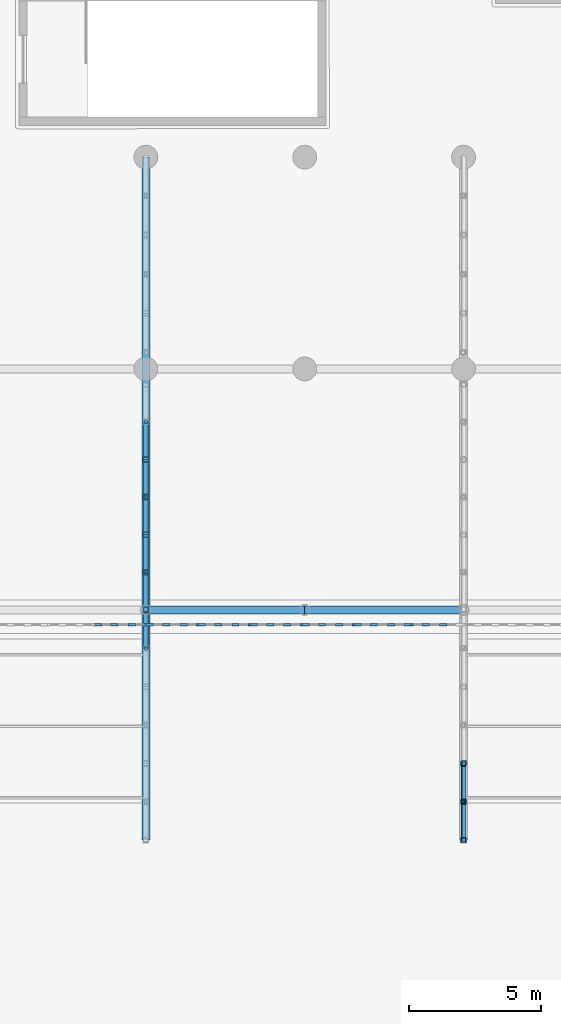
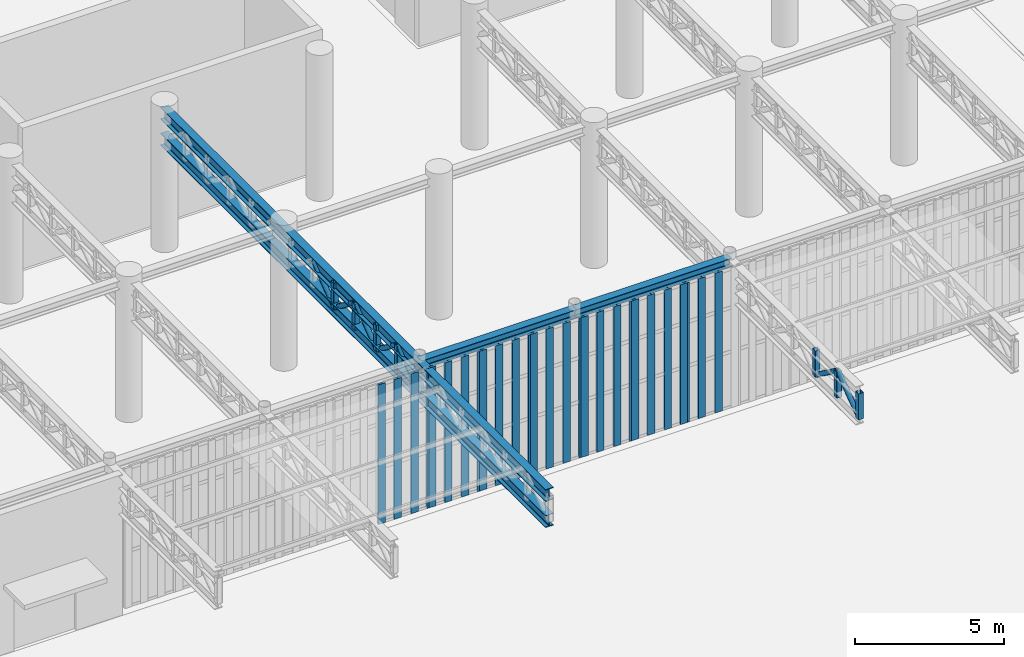
# One storey, part 23 of 118: 45 members, 2 beams, 7 elements without a shape of their own.
"""IFC4 building model written with IfcOpenShell, lengths in metres."""

import ifcopenshell
import ifcopenshell.guid

model = None  # the IFC model being written
_history = None  # IfcOwnerHistory: only IFC2X3 demands one
_inside = {}  # id of a spatial element -> (the spatial element, [elements in it])
_under = {}  # id of a project, library or spatial element -> (it, [spatial elements below it])
_declared = {}  # id of a project -> (the project, [libraries it declares])
_typed = {}  # id of a type object -> (the type object, [elements of that type])
_made_of = {}  # id of a material, layer set ... -> (it, [elements and type objects made of it])


def new_model(schema):
    """Start an empty IFC model of exactly this schema.

    Asked for "IFC4X3", IfcOpenShell would pick the latest addendum, in which some entities
    have other attributes; the version numbers below select the first issue.
    IFC2X3 requires an IfcOwnerHistory on every rooted entity: one is made here for all.
    """
    global model, _history
    if schema == "IFC4X3":
        model = ifcopenshell.file(schema_version=(4, 3, 0, 0))
    else:
        model = ifcopenshell.file(schema=schema)
    _inside.clear()
    _under.clear()
    _declared.clear()
    _typed.clear()
    _made_of.clear()
    _history = None
    if model.schema == "IFC2X3":
        org = make("IfcOrganization", Name="unknown")
        user = make(
            "IfcPersonAndOrganization",
            ThePerson=make("IfcPerson", FamilyName="unknown"),
            TheOrganization=org,
        )
        app = make(
            "IfcApplication",
            ApplicationDeveloper=org,
            Version="unknown",
            ApplicationFullName="unknown",
            ApplicationIdentifier="unknown",
        )
        _history = make(
            "IfcOwnerHistory",
            OwningUser=user,
            OwningApplication=app,
            ChangeAction="ADDED",
            CreationDate=0,
        )
    return model


def make(cls, **values):
    """One entity of the class cls with the attributes given. An attribute that is None is left unset."""
    return model.create_entity(
        cls, **{name: value for name, value in values.items() if value is not None}
    )


def rooted(cls, **values):
    """An entity with a GlobalId (a new one), such as an element, a storey or a relation."""
    return make(cls, GlobalId=ifcopenshell.guid.new(), OwnerHistory=_history, **values)


def si_unit(unit_type, name, prefix=None):
    """IfcSIUnit, for example si_unit("LENGTHUNIT", "METRE", prefix="MILLI")."""
    return make("IfcSIUnit", UnitType=unit_type, Prefix=prefix, Name=name)


def assignment(units):
    """IfcUnitAssignment: the units of a project."""
    return None if units is None else make("IfcUnitAssignment", Units=units)


def point(xyz):
    """IfcCartesianPoint."""
    return None if xyz is None else make("IfcCartesianPoint", Coordinates=xyz)


def direction(xyz):
    """IfcDirection."""
    return None if xyz is None else make("IfcDirection", DirectionRatios=xyz)


def frame(location, z_axis=None, x_axis=None):
    """IfcAxis2Placement3D, a coordinate frame: its origin and axes. An axis left out is left unset."""
    return make(
        "IfcAxis2Placement3D",
        Location=point(location),
        Axis=direction(z_axis),
        RefDirection=direction(x_axis),
    )


def frame_2d(location, x_axis=None):
    """IfcAxis2Placement2D, a coordinate frame in the plane: its origin and x axis."""
    return make(
        "IfcAxis2Placement2D", Location=point(location), RefDirection=direction(x_axis)
    )


def origin():
    """The frame at (0, 0, 0) with its axes left unset."""
    return frame((0.0, 0.0, 0.0))


def origin_2d():
    """The frame at (0, 0) in the plane with its x axis left unset."""
    return frame_2d((0.0, 0.0))


def place(relative_to, where):
    """IfcLocalPlacement: puts the frame where relative to a parent placement (None: the world)."""
    return make(
        "IfcLocalPlacement", PlacementRelTo=relative_to, RelativePlacement=where
    )


def context(
    kind, dimensions, precision=None, world=None, true_north=None, identifier=None
):
    """IfcGeometricRepresentationContext, for example the 3D "Model" context."""
    return make(
        "IfcGeometricRepresentationContext",
        ContextIdentifier=identifier,
        ContextType=kind,
        CoordinateSpaceDimension=dimensions,
        Precision=precision,
        WorldCoordinateSystem=world,
        TrueNorth=true_north,
    )


def subcontext(parent, identifier, kind, view, scale=None):
    """IfcGeometricRepresentationSubContext, for example "Body" below "Model"."""
    return make(
        "IfcGeometricRepresentationSubContext",
        ContextIdentifier=identifier,
        ContextType=kind,
        ParentContext=parent,
        TargetScale=scale,
        TargetView=view,
    )


def project(units=None, contexts=None):
    """IfcProject with its units and contexts."""
    return rooted(
        "IfcProject",
        Name="project",
        RepresentationContexts=contexts,
        UnitsInContext=assignment(units),
    )


def spatial(cls, under=None, at=None, **own):
    """A site, building, storey or space (cls), placed at a placement, below another one or the project."""
    s = rooted(cls, ObjectPlacement=at, **own)
    if under is not None:
        _under.setdefault(under.id(), (under, []))[1].append(s)
    return s


def profile(cls, at=None, kind="AREA", **sizes):
    """A parametric profile (cls). Its sizes go by their IFC names, for example OverallWidth=200.0."""
    return make(cls, ProfileType=kind, Position=at, **sizes)


def rectangle(**sizes):
    """IfcRectangleProfileDef."""
    return profile("IfcRectangleProfileDef", **sizes)


def hollow_rectangle(**sizes):
    """IfcRectangleHollowProfileDef."""
    return profile("IfcRectangleHollowProfileDef", **sizes)


def hollow_circle(**sizes):
    """IfcCircleHollowProfileDef."""
    return profile("IfcCircleHollowProfileDef", **sizes)


def i_section(**sizes):
    """IfcIShapeProfileDef."""
    return profile("IfcIShapeProfileDef", **sizes)


def extrude(swept, where, along, depth):
    """IfcExtrudedAreaSolid: the profile swept, set in the frame where, extruded along a direction by depth."""
    return make(
        "IfcExtrudedAreaSolid",
        SweptArea=swept,
        Position=where,
        ExtrudedDirection=direction(along),
        Depth=depth,
    )


def shape(context_of_items, identifier, shape_type, items):
    """IfcShapeRepresentation: the items that make up one representation, for example the "Body"."""
    return make(
        "IfcShapeRepresentation",
        ContextOfItems=context_of_items,
        RepresentationIdentifier=identifier,
        RepresentationType=shape_type,
        Items=items,
    )


def material(Name=None, Category=None):
    """IfcMaterial."""
    return make("IfcMaterial", Name=Name, Category=Category)


def material_profile(
    of_material, cross_section, Name=None, Category=None, Priority=None
):
    """IfcMaterialProfile: a cross section and its material."""
    return make(
        "IfcMaterialProfile",
        Name=Name,
        Material=of_material,
        Profile=cross_section,
        Priority=Priority,
        Category=Category,
    )


def profile_set(profiles, Name=None, composite=None):
    """IfcMaterialProfileSet."""
    return make(
        "IfcMaterialProfileSet",
        Name=Name,
        MaterialProfiles=profiles,
        CompositeProfile=composite,
    )


def made_of(thing, what):
    """Note that an element or type object is made of a material, layer set ...; save() writes the relation."""
    if what is not None:
        _made_of.setdefault(what.id(), (what, []))[1].append(thing)
    return thing


def type_object(cls, material=None, **own):
    """A type object (cls), such as IfcWallType, which elements share."""
    return made_of(rooted(cls, **own), material)


def element(
    cls,
    number,
    at=None,
    inside=None,
    cuts=None,
    type_object=None,
    material=None,
    context=None,
    identifier="Body",
    shape_type=None,
    held_by="IfcProductDefinitionShape",
    body=None,
    shapes=None,
    **own,
):
    """One element of the class cls, such as IfcWall. Its Tag is "e" and its number.

    at: its placement. inside: the storey or other place that contains it. cuts: it is an
    opening in that element (IfcRelVoidsElement). A single representation is given by context,
    identifier, shape_type and body (its items); several are given by shapes. held_by: the class
    of the entity that holds the representations. save() writes the other relations.
    """
    e = rooted(cls, Tag="e%d" % number, ObjectPlacement=at, **own)
    if body is not None:
        shapes = [shape(context, identifier, shape_type, body)]
    if shapes is not None:
        e.Representation = make(held_by, Representations=shapes)
    if inside is not None:
        _inside.setdefault(inside.id(), (inside, []))[1].append(e)
    if cuts is not None:
        rooted(
            "IfcRelVoidsElement", RelatingBuildingElement=cuts, RelatedOpeningElement=e
        )
    if type_object is not None:
        _typed.setdefault(type_object.id(), (type_object, []))[1].append(e)
    return made_of(e, material)


def aggregate(whole, parts):
    """IfcRelAggregates: a whole, such as a stair, and the parts it consists of."""
    return rooted("IfcRelAggregates", RelatingObject=whole, RelatedObjects=parts)


def save(model, path):
    """Write the relations noted so far, then the file.

    IfcRelAggregates (storeys below a building ...), IfcRelContainedInSpatialStructure (elements
    in a storey), IfcRelDefinesByType, IfcRelAssociatesMaterial and IfcRelDeclares: one each for
    every whole, place, type object, material and project.
    """
    for whole, parts in _under.values():
        aggregate(whole, parts)
    for where, things in _inside.values():
        rooted(
            "IfcRelContainedInSpatialStructure",
            RelatedElements=things,
            RelatingStructure=where,
        )
    for kind, things in _typed.values():
        rooted("IfcRelDefinesByType", RelatedObjects=things, RelatingType=kind)
    for what, things in _made_of.values():
        rooted("IfcRelAssociatesMaterial", RelatedObjects=things, RelatingMaterial=what)
    for by, libraries in _declared.values():
        rooted("IfcRelDeclares", RelatingContext=by, RelatedDefinitions=libraries)
    model.write(path)


model = new_model("IFC4")

# Units and contexts
model_context = context("Model", 3, precision=1e-05, world=origin(), true_north=direction((0.0, 1.0)))
body_context = subcontext(model_context, "Body", "Model", "MODEL_VIEW")
ifc_project = project(units=[si_unit("LENGTHUNIT", "METRE"), si_unit("AREAUNIT", "SQUARE_METRE"), si_unit("VOLUMEUNIT", "CUBIC_METRE"), si_unit("PLANEANGLEUNIT", "RADIAN"), si_unit("MASSUNIT", "GRAM", prefix="KILO")], contexts=[model_context])

# Site, building, storey
site_placement = place(None, origin())
site = spatial("IfcSite", under=ifc_project, at=site_placement, CompositionType="ELEMENT")
building_placement = place(site_placement, origin())
building = spatial("IfcBuilding", under=site, at=building_placement, Name="Kolvaren Corner Interchange", CompositionType="ELEMENT")
storey_placement = place(building_placement, origin())
storey = spatial("IfcBuildingStorey", under=building, at=storey_placement, Name="L01", CompositionType="ELEMENT", Elevation=0.0)

# Beams
ifc_material_1 = material(Name="Steel S355", Category="steel")
ifc_material_profile_1 = material_profile(ifc_material_1, i_section(OverallWidth=0.300048828125, OverallDepth=0.35009765625, WebThickness=0.010009765625, FlangeThickness=0.017578125, FilletRadius=0.027099609375, at=origin_2d()), Name="HEA 360")
ifc_profile_set_1 = profile_set([ifc_material_profile_1], Name="Steel S355")
beam_type = type_object("IfcBeamType", Name="BM-HEA360", PredefinedType="BEAM", material=ifc_profile_set_1)
for number, where, z_axis, x_axis, name in (
    (1, (84.0, 24.89990234375, 5.574951171875), (1.0, 0.0, 0.0), (0.0, 1.0, 0.0), "Storey L01 Grid X Primary Girder 0217"),
    (2, (90.0, 24.89990234375, 5.574951171875), (1.0, 0.0, 0.0), (0.0, 1.0, 0.0), "Storey L01 Grid X Primary Girder 0218"),
):
    element("IfcBeam", number, at=place(storey_placement, frame(where, z_axis=z_axis, x_axis=x_axis)), inside=storey, type_object=beam_type, Name=name, PredefinedType="BEAM", context=body_context, shape_type="SweptSolid", body=[
        extrude(i_section(OverallWidth=0.300048828125, OverallDepth=0.35009765625, WebThickness=0.010009765625, FlangeThickness=0.017578125, FilletRadius=0.027099609375, at=origin_2d()), origin(), (0.0, 0.0, 1.0), 6.0),
    ])

# Members
ifc_material_2 = material(Name="Steel S355", Category="steel")
ifc_material_profile_2 = material_profile(ifc_material_2, hollow_circle(Radius=0.096923828125, WallThickness=0.010009765625, at=origin_2d()), Name="CHS 193.7x10.0")
ifc_profile_set_2 = profile_set([ifc_material_profile_2], Name="Steel S355")
member_type_1 = type_object("IfcMemberType", Name="MEM-BR-CHS194", PredefinedType="BRACE", material=ifc_profile_set_2)
member_1_placement = place(storey_placement, frame((84.0, 23.449951171875, 5.469970703125), z_axis=(0.0, 0.807264090797, -0.590190382597), x_axis=(-1.0, 0.0, 0.0)))
element("IfcMember", 3, at=member_1_placement, inside=storey, type_object=member_type_1, Name="South Portal Cantilever Roof Truss L02 Line 3 Diagonal 06", PredefinedType="BRACE", context=body_context, shape_type="SweptSolid", body=[
    extrude(hollow_circle(Radius=0.096923828125, WallThickness=0.010009765625, at=origin_2d()), origin(), (0.0, 0.0, 1.0), 1.796142578125),
])
member_2_placement = place(storey_placement, frame((84.0, 24.89990234375, 4.409912109375), z_axis=(0.0, 0.801370032118, 0.598168932346), x_axis=(-1.0, 0.0, 0.0)))
element("IfcMember", 4, at=member_2_placement, inside=storey, type_object=member_type_1, Name="South Portal Cantilever Roof Truss L02 Line 3 Diagonal 07", PredefinedType="BRACE", context=body_context, shape_type="SweptSolid", body=[
    extrude(hollow_circle(Radius=0.096923828125, WallThickness=0.010009765625, at=origin_2d()), origin(), (0.0, 0.0, 1.0), 1.772216796875),
])
for number, where, z_axis, x_axis, name in (
    (5, (84.0, 26.320068359375, 5.469970703125), (0.0, 0.801320731352, -0.59823497516), (-1.0, 0.0, 0.0), "South Portal Cantilever Roof Truss L02 Line 3 Diagonal 08"),
    (6, (84.0, 27.739990234375, 4.409912109375), (0.0, 0.801320731352, 0.59823497516), (-1.0, 0.0, 0.0), "South Portal Cantilever Roof Truss L02 Line 3 Diagonal 09"),
):
    element("IfcMember", number, at=place(storey_placement, frame(where, z_axis=z_axis, x_axis=x_axis)), inside=storey, type_object=member_type_1, Name=name, PredefinedType="BRACE", context=body_context, shape_type="SweptSolid", body=[
        extrude(hollow_circle(Radius=0.096923828125, WallThickness=0.010009765625, at=origin_2d()), origin(), (0.0, 0.0, 1.0), 1.77197265625),
    ])
member_3_placement = place(storey_placement, frame((84.0, 29.159912109375, 5.469970703125), z_axis=(0.0, 0.801370032118, -0.598168932346), x_axis=(-1.0, 0.0, 0.0)))
element("IfcMember", 7, at=member_3_placement, inside=storey, type_object=member_type_1, Name="South Portal Cantilever Roof Truss L02 Line 3 Diagonal 10", PredefinedType="BRACE", context=body_context, shape_type="SweptSolid", body=[
    extrude(hollow_circle(Radius=0.096923828125, WallThickness=0.010009765625, at=origin_2d()), origin(), (0.0, 0.0, 1.0), 1.772216796875),
])
member_4_placement = place(storey_placement, frame((84.0, 30.580078125, 4.409912109375), z_axis=(0.0, 0.801320731352, 0.59823497516), x_axis=(-1.0, 0.0, 0.0)))
element("IfcMember", 8, at=member_4_placement, inside=storey, type_object=member_type_1, Name="South Portal Cantilever Roof Truss L02 Line 3 Diagonal 11", PredefinedType="BRACE", context=body_context, shape_type="SweptSolid", body=[
    extrude(hollow_circle(Radius=0.096923828125, WallThickness=0.010009765625, at=origin_2d()), origin(), (0.0, 0.0, 1.0), 1.77197265625),
])
member_5_placement = place(storey_placement, frame((96.0, 16.199951171875, 4.409912109375), z_axis=(0.0, 0.807264090797, 0.590190382597), x_axis=(-1.0, 0.0, 0.0)))
element("IfcMember", 9, at=member_5_placement, inside=storey, type_object=member_type_1, Name="South Portal Cantilever Roof Truss L02 Line 5 Diagonal 01", PredefinedType="BRACE", context=body_context, shape_type="SweptSolid", body=[
    extrude(hollow_circle(Radius=0.096923828125, WallThickness=0.010009765625, at=origin_2d()), origin(), (0.0, 0.0, 1.0), 1.796142578125),
])
member_6_placement = place(storey_placement, frame((96.0, 17.64990234375, 5.469970703125), z_axis=(0.0, 0.807311429362, -0.590125627321), x_axis=(-1.0, 0.0, 0.0)))
element("IfcMember", 10, at=member_6_placement, inside=storey, type_object=member_type_1, Name="South Portal Cantilever Roof Truss L02 Line 5 Diagonal 02", PredefinedType="BRACE", context=body_context, shape_type="SweptSolid", body=[
    extrude(hollow_circle(Radius=0.096923828125, WallThickness=0.010009765625, at=origin_2d()), origin(), (0.0, 0.0, 1.0), 1.79638671875),
])
ifc_material_3 = material(Name="Steel S355", Category="steel")
ifc_material_profile_3 = material_profile(ifc_material_3, i_section(OverallWidth=0.300048828125, OverallDepth=0.5, WebThickness=0.014404296875, FlangeThickness=0.028076171875, FilletRadius=0.027099609375, at=origin_2d()), Name="HEB 500")
ifc_profile_set_3 = profile_set([ifc_material_profile_3], Name="Steel S355")
member_type_2 = type_object("IfcMemberType", Name="MEM-CH-HEB500", PredefinedType="CHORD", material=ifc_profile_set_3)
for number, where, z_axis, x_axis, name in (
    (11, (84.0, 16.199951171875, 5.469970703125), (0.0, 1.0, 0.0), (-1.0, 0.0, 0.0), "South Portal Cantilever Roof Truss L02 Line 3 Top Chord"),
    (12, (84.0, 16.199951171875, 4.409912109375), (0.0, 1.0, 0.0), (-1.0, 0.0, 0.0), "South Portal Cantilever Roof Truss L02 Line 3 Bottom Chord"),
):
    element("IfcMember", number, at=place(storey_placement, frame(where, z_axis=z_axis, x_axis=x_axis)), inside=storey, type_object=member_type_2, Name=name, PredefinedType="CHORD", context=body_context, shape_type="SweptSolid", body=[
        extrude(i_section(OverallWidth=0.300048828125, OverallDepth=0.5, WebThickness=0.014404296875, FlangeThickness=0.028076171875, FilletRadius=0.027099609375, at=origin_2d()), origin(), (0.0, 0.0, 1.0), 25.800048828125),
    ])
ifc_material_4 = material(Name="Steel S355", Category="steel")
ifc_material_profile_4 = material_profile(ifc_material_4, hollow_rectangle(XDim=0.199951171875, YDim=0.199951171875, WallThickness=0.010009765625, InnerFilletRadius=0.010009765625, OuterFilletRadius=0.02001953125, at=origin_2d()), Name="SHS 200x200x10.0")
ifc_profile_set_4 = profile_set([ifc_material_profile_4], Name="Steel S355")
member_type_3 = type_object("IfcMemberType", Name="MEM-PT-SHS200", PredefinedType="POST", material=ifc_profile_set_4)
for number, where, z_axis, x_axis, name in (
    (13, (84.0, 24.89990234375, 4.409912109375), (0.0, 0.0, 1.0), (1.0, 0.0, 0.0), "South Portal Cantilever Roof Truss L02 Line 3 Web Post 07"),
    (14, (84.0, 26.320068359375, 4.409912109375), (0.0, 0.0, 1.0), (1.0, 0.0, 0.0), "South Portal Cantilever Roof Truss L02 Line 3 Web Post 08"),
    (15, (84.0, 27.739990234375, 4.409912109375), (0.0, 0.0, 1.0), (1.0, 0.0, 0.0), "South Portal Cantilever Roof Truss L02 Line 3 Web Post 09"),
    (16, (84.0, 29.159912109375, 4.409912109375), (0.0, 0.0, 1.0), (1.0, 0.0, 0.0), "South Portal Cantilever Roof Truss L02 Line 3 Web Post 10"),
    (17, (84.0, 30.580078125, 4.409912109375), (0.0, 0.0, 1.0), (1.0, 0.0, 0.0), "South Portal Cantilever Roof Truss L02 Line 3 Web Post 11"),
    (18, (96.0, 16.199951171875, 4.409912109375), (0.0, 0.0, 1.0), (1.0, 0.0, 0.0), "South Portal Cantilever Roof Truss L02 Line 5 Web Post 01"),
    (19, (96.0, 17.64990234375, 4.409912109375), (0.0, 0.0, 1.0), (1.0, 0.0, 0.0), "South Portal Cantilever Roof Truss L02 Line 5 Web Post 02"),
    (20, (96.0, 19.10009765625, 4.409912109375), (0.0, 0.0, 1.0), (1.0, 0.0, 0.0), "South Portal Cantilever Roof Truss L02 Line 5 Web Post 03"),
):
    element("IfcMember", number, at=place(storey_placement, frame(where, z_axis=z_axis, x_axis=x_axis)), inside=storey, type_object=member_type_3, Name=name, PredefinedType="POST", context=body_context, shape_type="SweptSolid", body=[
        extrude(hollow_rectangle(XDim=0.199951171875, YDim=0.199951171875, WallThickness=0.010009765625, InnerFilletRadius=0.010009765625, OuterFilletRadius=0.02001953125, at=origin_2d()), origin(), (0.0, 0.0, 1.0), 1.06005859375),
    ])

# Curtain wall, members
ifc_material_5 = material(Name="Unitised Aluminium and Solar-Control Glass Curtain Wall", Category="aluminium")
curtain_wall_type = type_object("IfcCurtainWallType", Name="CW-V1-PORTAL", PredefinedType="NOTDEFINED", material=ifc_material_5)
curtain_wall_1_placement = place(storey_placement, origin())
curtain_wall_1 = element("IfcCurtainWall", 21, at=curtain_wall_1_placement, inside=storey, type_object=curtain_wall_type, Name="South Portal Ground Curtain Wall Bay 06", PredefinedType="NOTDEFINED")
ifc_material_6 = material(Name="Anodised Aluminium Framing", Category="aluminium")
ifc_material_profile_5 = material_profile(ifc_material_6, rectangle(XDim=0.080078125, YDim=0.280029296875, at=origin_2d()), Name="ALU 80x280")
ifc_profile_set_5 = profile_set([ifc_material_profile_5], Name="Anodised Aluminium Framing")
member_type_4 = type_object("IfcMemberType", Name="MUL-ALU80x280", PredefinedType="MULLION", material=ifc_profile_set_5)
member_7_placement = place(storey_placement, frame((82.195556640625, 24.340087890625, 0.0), z_axis=(0.0, 0.0, 1.0), x_axis=(0.0, 1.0, 0.0)))
member_7 = element("IfcMember", 22, at=member_7_placement, type_object=member_type_4, Name="CW-006 mullion 1", PredefinedType="MULLION", context=body_context, shape_type="SweptSolid", body=[
    extrude(rectangle(XDim=0.080078125, YDim=0.280029296875, at=origin_2d()), origin(), (0.0, 0.0, 1.0), 5.719970703125),
])
member_8_placement = place(storey_placement, frame((82.809326171875, 24.340087890625, 0.0), z_axis=(0.0, 0.0, 1.0), x_axis=(0.0, 1.0, 0.0)))
member_8 = element("IfcMember", 23, at=member_8_placement, type_object=member_type_4, Name="CW-006 mullion 2", PredefinedType="MULLION", context=body_context, shape_type="SweptSolid", body=[
    extrude(rectangle(XDim=0.080078125, YDim=0.280029296875, at=origin_2d()), origin(), (0.0, 0.0, 1.0), 5.719970703125),
])
member_9_placement = place(storey_placement, frame((83.462890625, 24.340087890625, 0.0), z_axis=(0.0, 0.0, 1.0), x_axis=(0.0, 1.0, 0.0)))
member_9 = element("IfcMember", 24, at=member_9_placement, type_object=member_type_4, Name="CW-006 mullion 3", PredefinedType="MULLION", context=body_context, shape_type="SweptSolid", body=[
    extrude(rectangle(XDim=0.080078125, YDim=0.280029296875, at=origin_2d()), origin(), (0.0, 0.0, 1.0), 5.719970703125),
])
member_10_placement = place(storey_placement, frame((84.07666015625, 24.340087890625, 0.0), z_axis=(0.0, 0.0, 1.0), x_axis=(0.0, 1.0, 0.0)))
member_10 = element("IfcMember", 25, at=member_10_placement, type_object=member_type_4, Name="CW-006 mullion 4", PredefinedType="MULLION", context=body_context, shape_type="SweptSolid", body=[
    extrude(rectangle(XDim=0.080078125, YDim=0.280029296875, at=origin_2d()), origin(), (0.0, 0.0, 1.0), 5.719970703125),
])
aggregate(curtain_wall_1, [member_7, member_8, member_9, member_10])

curtain_wall_2_placement = place(storey_placement, origin())
curtain_wall_2 = element("IfcCurtainWall", 26, at=curtain_wall_2_placement, inside=storey, type_object=curtain_wall_type, Name="South Portal Ground Curtain Wall Bay 07", PredefinedType="NOTDEFINED")
member_11_placement = place(storey_placement, frame((84.15673828125, 24.340087890625, 0.0), z_axis=(0.0, 0.0, 1.0), x_axis=(0.0, 1.0, 0.0)))
member_11 = element("IfcMember", 27, at=member_11_placement, type_object=member_type_4, Name="CW-007 mullion 1", PredefinedType="MULLION", context=body_context, shape_type="SweptSolid", body=[
    extrude(rectangle(XDim=0.080078125, YDim=0.280029296875, at=origin_2d()), origin(), (0.0, 0.0, 1.0), 5.719970703125),
])
member_12_placement = place(storey_placement, frame((84.7705078125, 24.340087890625, 0.0), z_axis=(0.0, 0.0, 1.0), x_axis=(0.0, 1.0, 0.0)))
member_12 = element("IfcMember", 28, at=member_12_placement, type_object=member_type_4, Name="CW-007 mullion 2", PredefinedType="MULLION", context=body_context, shape_type="SweptSolid", body=[
    extrude(rectangle(XDim=0.080078125, YDim=0.280029296875, at=origin_2d()), origin(), (0.0, 0.0, 1.0), 5.719970703125),
])
member_13_placement = place(storey_placement, frame((85.424072265625, 24.340087890625, 0.0), z_axis=(0.0, 0.0, 1.0), x_axis=(0.0, 1.0, 0.0)))
member_13 = element("IfcMember", 29, at=member_13_placement, type_object=member_type_4, Name="CW-007 mullion 3", PredefinedType="MULLION", context=body_context, shape_type="SweptSolid", body=[
    extrude(rectangle(XDim=0.080078125, YDim=0.280029296875, at=origin_2d()), origin(), (0.0, 0.0, 1.0), 5.719970703125),
])
member_14_placement = place(storey_placement, frame((86.037841796875, 24.340087890625, 0.0), z_axis=(0.0, 0.0, 1.0), x_axis=(0.0, 1.0, 0.0)))
member_14 = element("IfcMember", 30, at=member_14_placement, type_object=member_type_4, Name="CW-007 mullion 4", PredefinedType="MULLION", context=body_context, shape_type="SweptSolid", body=[
    extrude(rectangle(XDim=0.080078125, YDim=0.280029296875, at=origin_2d()), origin(), (0.0, 0.0, 1.0), 5.719970703125),
])
aggregate(curtain_wall_2, [member_11, member_12, member_13, member_14])

curtain_wall_3_placement = place(storey_placement, origin())
curtain_wall_3 = element("IfcCurtainWall", 31, at=curtain_wall_3_placement, inside=storey, type_object=curtain_wall_type, Name="South Portal Ground Curtain Wall Bay 08", PredefinedType="NOTDEFINED")
member_15_placement = place(storey_placement, frame((86.117919921875, 24.340087890625, 0.0), z_axis=(0.0, 0.0, 1.0), x_axis=(0.0, 1.0, 0.0)))
member_15 = element("IfcMember", 32, at=member_15_placement, type_object=member_type_4, Name="CW-008 mullion 1", PredefinedType="MULLION", context=body_context, shape_type="SweptSolid", body=[
    extrude(rectangle(XDim=0.080078125, YDim=0.280029296875, at=origin_2d()), origin(), (0.0, 0.0, 1.0), 5.719970703125),
])
member_16_placement = place(storey_placement, frame((86.7314453125, 24.340087890625, 0.0), z_axis=(0.0, 0.0, 1.0), x_axis=(0.0, 1.0, 0.0)))
member_16 = element("IfcMember", 33, at=member_16_placement, type_object=member_type_4, Name="CW-008 mullion 2", PredefinedType="MULLION", context=body_context, shape_type="SweptSolid", body=[
    extrude(rectangle(XDim=0.080078125, YDim=0.280029296875, at=origin_2d()), origin(), (0.0, 0.0, 1.0), 5.719970703125),
])
member_17_placement = place(storey_placement, frame((87.38525390625, 24.340087890625, 0.0), z_axis=(0.0, 0.0, 1.0), x_axis=(0.0, 1.0, 0.0)))
member_17 = element("IfcMember", 34, at=member_17_placement, type_object=member_type_4, Name="CW-008 mullion 3", PredefinedType="MULLION", context=body_context, shape_type="SweptSolid", body=[
    extrude(rectangle(XDim=0.080078125, YDim=0.280029296875, at=origin_2d()), origin(), (0.0, 0.0, 1.0), 5.719970703125),
])
member_18_placement = place(storey_placement, frame((87.998779296875, 24.340087890625, 0.0), z_axis=(0.0, 0.0, 1.0), x_axis=(0.0, 1.0, 0.0)))
member_18 = element("IfcMember", 35, at=member_18_placement, type_object=member_type_4, Name="CW-008 mullion 4", PredefinedType="MULLION", context=body_context, shape_type="SweptSolid", body=[
    extrude(rectangle(XDim=0.080078125, YDim=0.280029296875, at=origin_2d()), origin(), (0.0, 0.0, 1.0), 5.719970703125),
])
aggregate(curtain_wall_3, [member_15, member_16, member_17, member_18])

curtain_wall_4_placement = place(storey_placement, origin())
curtain_wall_4 = element("IfcCurtainWall", 36, at=curtain_wall_4_placement, inside=storey, type_object=curtain_wall_type, Name="South Portal Ground Curtain Wall Bay 09", PredefinedType="NOTDEFINED")
member_19_placement = place(storey_placement, frame((88.078857421875, 24.340087890625, 0.0), z_axis=(0.0, 0.0, 1.0), x_axis=(0.0, 1.0, 0.0)))
member_19 = element("IfcMember", 37, at=member_19_placement, type_object=member_type_4, Name="CW-009 mullion 1", PredefinedType="MULLION", context=body_context, shape_type="SweptSolid", body=[
    extrude(rectangle(XDim=0.080078125, YDim=0.280029296875, at=origin_2d()), origin(), (0.0, 0.0, 1.0), 5.719970703125),
])
member_20_placement = place(storey_placement, frame((88.692626953125, 24.340087890625, 0.0), z_axis=(0.0, 0.0, 1.0), x_axis=(0.0, 1.0, 0.0)))
member_20 = element("IfcMember", 38, at=member_20_placement, type_object=member_type_4, Name="CW-009 mullion 2", PredefinedType="MULLION", context=body_context, shape_type="SweptSolid", body=[
    extrude(rectangle(XDim=0.080078125, YDim=0.280029296875, at=origin_2d()), origin(), (0.0, 0.0, 1.0), 5.719970703125),
])
member_21_placement = place(storey_placement, frame((89.34619140625, 24.340087890625, 0.0), z_axis=(0.0, 0.0, 1.0), x_axis=(0.0, 1.0, 0.0)))
member_21 = element("IfcMember", 39, at=member_21_placement, type_object=member_type_4, Name="CW-009 mullion 3", PredefinedType="MULLION", context=body_context, shape_type="SweptSolid", body=[
    extrude(rectangle(XDim=0.080078125, YDim=0.280029296875, at=origin_2d()), origin(), (0.0, 0.0, 1.0), 5.719970703125),
])
member_22_placement = place(storey_placement, frame((89.9599609375, 24.340087890625, 0.0), z_axis=(0.0, 0.0, 1.0), x_axis=(0.0, 1.0, 0.0)))
member_22 = element("IfcMember", 40, at=member_22_placement, type_object=member_type_4, Name="CW-009 mullion 4", PredefinedType="MULLION", context=body_context, shape_type="SweptSolid", body=[
    extrude(rectangle(XDim=0.080078125, YDim=0.280029296875, at=origin_2d()), origin(), (0.0, 0.0, 1.0), 5.719970703125),
])
aggregate(curtain_wall_4, [member_19, member_20, member_21, member_22])

curtain_wall_5_placement = place(storey_placement, origin())
curtain_wall_5 = element("IfcCurtainWall", 41, at=curtain_wall_5_placement, inside=storey, type_object=curtain_wall_type, Name="South Portal Ground Curtain Wall Bay 10", PredefinedType="NOTDEFINED")
member_23_placement = place(storey_placement, frame((90.0400390625, 24.340087890625, 0.0), z_axis=(0.0, 0.0, 1.0), x_axis=(0.0, 1.0, 0.0)))
member_23 = element("IfcMember", 42, at=member_23_placement, type_object=member_type_4, Name="CW-010 mullion 1", PredefinedType="MULLION", context=body_context, shape_type="SweptSolid", body=[
    extrude(rectangle(XDim=0.080078125, YDim=0.280029296875, at=origin_2d()), origin(), (0.0, 0.0, 1.0), 5.719970703125),
])
member_24_placement = place(storey_placement, frame((90.65380859375, 24.340087890625, 0.0), z_axis=(0.0, 0.0, 1.0), x_axis=(0.0, 1.0, 0.0)))
member_24 = element("IfcMember", 43, at=member_24_placement, type_object=member_type_4, Name="CW-010 mullion 2", PredefinedType="MULLION", context=body_context, shape_type="SweptSolid", body=[
    extrude(rectangle(XDim=0.080078125, YDim=0.280029296875, at=origin_2d()), origin(), (0.0, 0.0, 1.0), 5.719970703125),
])
member_25_placement = place(storey_placement, frame((91.307373046875, 24.340087890625, 0.0), z_axis=(0.0, 0.0, 1.0), x_axis=(0.0, 1.0, 0.0)))
member_25 = element("IfcMember", 44, at=member_25_placement, type_object=member_type_4, Name="CW-010 mullion 3", PredefinedType="MULLION", context=body_context, shape_type="SweptSolid", body=[
    extrude(rectangle(XDim=0.080078125, YDim=0.280029296875, at=origin_2d()), origin(), (0.0, 0.0, 1.0), 5.719970703125),
])
member_26_placement = place(storey_placement, frame((91.921142578125, 24.340087890625, 0.0), z_axis=(0.0, 0.0, 1.0), x_axis=(0.0, 1.0, 0.0)))
member_26 = element("IfcMember", 45, at=member_26_placement, type_object=member_type_4, Name="CW-010 mullion 4", PredefinedType="MULLION", context=body_context, shape_type="SweptSolid", body=[
    extrude(rectangle(XDim=0.080078125, YDim=0.280029296875, at=origin_2d()), origin(), (0.0, 0.0, 1.0), 5.719970703125),
])
aggregate(curtain_wall_5, [member_23, member_24, member_25, member_26])

curtain_wall_6_placement = place(storey_placement, origin())
curtain_wall_6 = element("IfcCurtainWall", 46, at=curtain_wall_6_placement, inside=storey, type_object=curtain_wall_type, Name="South Portal Ground Curtain Wall Bay 11", PredefinedType="NOTDEFINED")
member_27_placement = place(storey_placement, frame((92.001220703125, 24.340087890625, 0.0), z_axis=(0.0, 0.0, 1.0), x_axis=(0.0, 1.0, 0.0)))
member_27 = element("IfcMember", 47, at=member_27_placement, type_object=member_type_4, Name="CW-011 mullion 1", PredefinedType="MULLION", context=body_context, shape_type="SweptSolid", body=[
    extrude(rectangle(XDim=0.080078125, YDim=0.280029296875, at=origin_2d()), origin(), (0.0, 0.0, 1.0), 5.719970703125),
])
member_28_placement = place(storey_placement, frame((92.61474609375, 24.340087890625, 0.0), z_axis=(0.0, 0.0, 1.0), x_axis=(0.0, 1.0, 0.0)))
member_28 = element("IfcMember", 48, at=member_28_placement, type_object=member_type_4, Name="CW-011 mullion 2", PredefinedType="MULLION", context=body_context, shape_type="SweptSolid", body=[
    extrude(rectangle(XDim=0.080078125, YDim=0.280029296875, at=origin_2d()), origin(), (0.0, 0.0, 1.0), 5.719970703125),
])
member_29_placement = place(storey_placement, frame((93.2685546875, 24.340087890625, 0.0), z_axis=(0.0, 0.0, 1.0), x_axis=(0.0, 1.0, 0.0)))
member_29 = element("IfcMember", 49, at=member_29_placement, type_object=member_type_4, Name="CW-011 mullion 3", PredefinedType="MULLION", context=body_context, shape_type="SweptSolid", body=[
    extrude(rectangle(XDim=0.080078125, YDim=0.280029296875, at=origin_2d()), origin(), (0.0, 0.0, 1.0), 5.719970703125),
])
member_30_placement = place(storey_placement, frame((93.882080078125, 24.340087890625, 0.0), z_axis=(0.0, 0.0, 1.0), x_axis=(0.0, 1.0, 0.0)))
member_30 = element("IfcMember", 50, at=member_30_placement, type_object=member_type_4, Name="CW-011 mullion 4", PredefinedType="MULLION", context=body_context, shape_type="SweptSolid", body=[
    extrude(rectangle(XDim=0.080078125, YDim=0.280029296875, at=origin_2d()), origin(), (0.0, 0.0, 1.0), 5.719970703125),
])
aggregate(curtain_wall_6, [member_27, member_28, member_29, member_30])

curtain_wall_7_placement = place(storey_placement, origin())
curtain_wall_7 = element("IfcCurtainWall", 51, at=curtain_wall_7_placement, inside=storey, type_object=curtain_wall_type, Name="South Portal Ground Curtain Wall Bay 12", PredefinedType="NOTDEFINED")
member_31_placement = place(storey_placement, frame((93.962158203125, 24.340087890625, 0.0), z_axis=(0.0, 0.0, 1.0), x_axis=(0.0, 1.0, 0.0)))
member_31 = element("IfcMember", 52, at=member_31_placement, type_object=member_type_4, Name="CW-012 mullion 1", PredefinedType="MULLION", context=body_context, shape_type="SweptSolid", body=[
    extrude(rectangle(XDim=0.080078125, YDim=0.280029296875, at=origin_2d()), origin(), (0.0, 0.0, 1.0), 5.719970703125),
])
member_32_placement = place(storey_placement, frame((94.575927734375, 24.340087890625, 0.0), z_axis=(0.0, 0.0, 1.0), x_axis=(0.0, 1.0, 0.0)))
member_32 = element("IfcMember", 53, at=member_32_placement, type_object=member_type_4, Name="CW-012 mullion 2", PredefinedType="MULLION", context=body_context, shape_type="SweptSolid", body=[
    extrude(rectangle(XDim=0.080078125, YDim=0.280029296875, at=origin_2d()), origin(), (0.0, 0.0, 1.0), 5.719970703125),
])
member_33_placement = place(storey_placement, frame((95.2294921875, 24.340087890625, 0.0), z_axis=(0.0, 0.0, 1.0), x_axis=(0.0, 1.0, 0.0)))
member_33 = element("IfcMember", 54, at=member_33_placement, type_object=member_type_4, Name="CW-012 mullion 3", PredefinedType="MULLION", context=body_context, shape_type="SweptSolid", body=[
    extrude(rectangle(XDim=0.080078125, YDim=0.280029296875, at=origin_2d()), origin(), (0.0, 0.0, 1.0), 5.719970703125),
])
aggregate(curtain_wall_7, [member_31, member_32, member_33])

save(model, "model.ifc")
